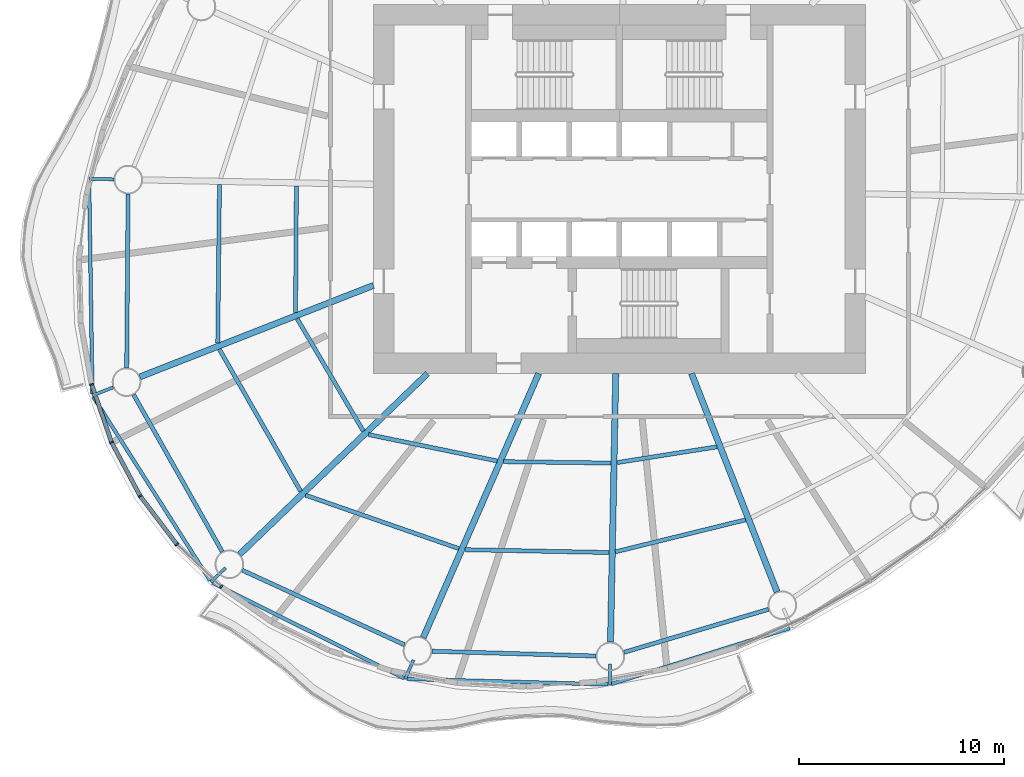
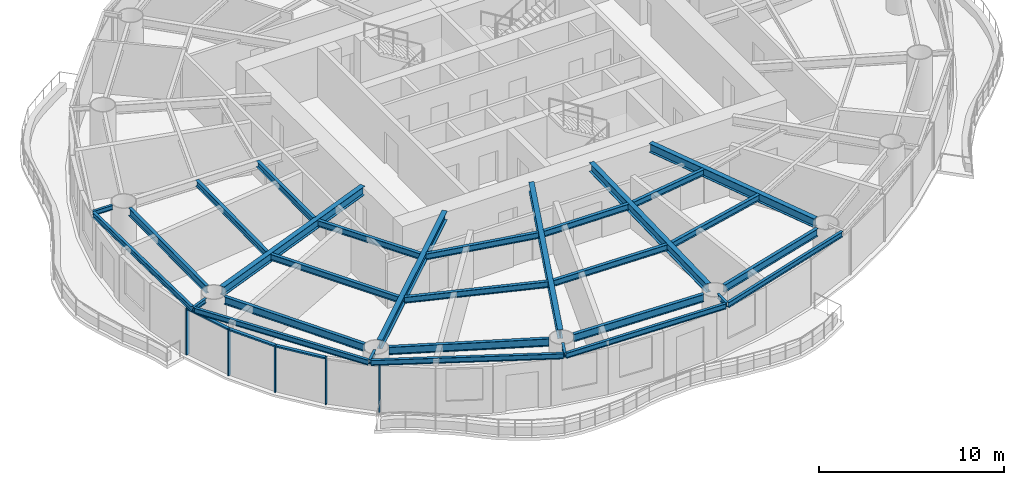
# One storey, part 2 of 14: 30 beams, 8 members, 4 elements without a shape of their own.
"""IFC4 building model written with IfcOpenShell, lengths in metres."""

from ifc_helpers import new_model, si_unit, direction, frame, origin, origin_2d, place, context, subcontext, project, spatial, rectangle, i_section, extrude, material, material_profile, profile_set, type_object, element, aggregate, save


model = new_model("IFC4")

# Units and contexts
model_context = context("Model", 3, precision=1e-05, world=origin(), true_north=direction((0.0, 1.0)))
body_context = subcontext(model_context, "Body", "Model", "MODEL_VIEW")
ifc_project = project(units=[si_unit("LENGTHUNIT", "METRE"), si_unit("AREAUNIT", "SQUARE_METRE"), si_unit("VOLUMEUNIT", "CUBIC_METRE"), si_unit("PLANEANGLEUNIT", "RADIAN"), si_unit("MASSUNIT", "GRAM", prefix="KILO")], contexts=[model_context])

# Site, building, storey
site_placement = place(None, origin())
site = spatial("IfcSite", under=ifc_project, at=site_placement, CompositionType="ELEMENT")
building_placement = place(site_placement, origin())
building = spatial("IfcBuilding", under=site, at=building_placement, Name="Vermilion Reach Broadcast Tower", CompositionType="ELEMENT")
storey_placement = place(building_placement, frame((0.0, 0.0, 165.0)))
storey = spatial("IfcBuildingStorey", under=building, at=storey_placement, Name="L39", CompositionType="ELEMENT", Elevation=165.0)

# Beams
ifc_material_1 = material(Name="Steel S355J2", Category="steel")
ifc_material_profile_1 = material_profile(ifc_material_1, i_section(OverallWidth=0.175048828125, OverallDepth=0.35009765625, WebThickness=0.007080078125, FlangeThickness=0.010986328125, at=origin_2d()), Name="S355J2 HN 350x175x7x11")
ifc_profile_set_1 = profile_set([ifc_material_profile_1], Name="Steel S355J2")
beam_type_1 = type_object("IfcBeamType", Name="EB3 HN 350x175x7x11", PredefinedType="BEAM", material=ifc_profile_set_1)
beam_1_placement = place(storey_placement, frame((-31.866943359375, 0.42626953125, 3.27490234375), z_axis=(0.015399378668, -0.999881422538, 0.0), x_axis=(0.999881422538, 0.015399378668, 0.0)))
element("IfcBeam", 1, at=beam_1_placement, inside=storey, type_object=beam_type_1, Name="Edge beam EB3-07", PredefinedType="BEAM", context=body_context, shape_type="SweptSolid", body=[
    extrude(i_section(OverallWidth=0.175048828125, OverallDepth=0.35009765625, WebThickness=0.007080078125, FlangeThickness=0.010986328125, at=origin_2d()), origin(), (0.0, 0.0, 1.0), 10.416015625),
])
beam_2_placement = place(storey_placement, frame((-31.664306640625, -10.133056640625, 3.27490234375), z_axis=(0.536371435763, -0.84398203944, 0.0), x_axis=(0.84398203944, 0.536371435763, 0.0)))
element("IfcBeam", 2, at=beam_2_placement, inside=storey, type_object=beam_type_1, Name="Edge beam EB3-08", PredefinedType="BEAM", context=body_context, shape_type="SweptSolid", body=[
    extrude(i_section(OverallWidth=0.175048828125, OverallDepth=0.35009765625, WebThickness=0.007080078125, FlangeThickness=0.010986328125, at=origin_2d()), origin(), (0.0, 0.0, 1.0), 10.62646484375),
])
beam_3_placement = place(storey_placement, frame((-25.852294921875, -19.20166015625, 3.27490234375), z_axis=(0.894871132783, -0.446324608006, 0.0), x_axis=(0.446324608006, 0.894871132783, 0.0)))
element("IfcBeam", 3, at=beam_3_placement, inside=storey, type_object=beam_type_1, Name="Edge beam EB3-09", PredefinedType="BEAM", context=body_context, shape_type="SweptSolid", body=[
    extrude(i_section(OverallWidth=0.175048828125, OverallDepth=0.35009765625, WebThickness=0.007080078125, FlangeThickness=0.010986328125, at=origin_2d()), origin(), (0.0, 0.0, 1.0), 10.4384765625),
])
beam_4_placement = place(storey_placement, frame((-16.36328125, -23.896240234375, 3.27490234375), z_axis=(0.999621496673, -0.027511150258, 0.0), x_axis=(0.027511150258, 0.999621496673, 0.0)))
element("IfcBeam", 4, at=beam_4_placement, inside=storey, type_object=beam_type_1, Name="Edge beam EB3-10", PredefinedType="BEAM", context=body_context, shape_type="SweptSolid", body=[
    extrude(i_section(OverallWidth=0.175048828125, OverallDepth=0.35009765625, WebThickness=0.007080078125, FlangeThickness=0.010986328125, at=origin_2d()), origin(), (0.0, 0.0, 1.0), 9.82373046875),
])
beam_5_placement = place(storey_placement, frame((-6.392822265625, -24.144775390625, 3.27490234375), z_axis=(0.95438083908, 0.298592052801, 0.0), x_axis=(-0.298592052801, 0.95438083908, 0.0)))
element("IfcBeam", 5, at=beam_5_placement, inside=storey, type_object=beam_type_1, Name="Edge beam EB3-11", PredefinedType="BEAM", context=body_context, shape_type="SweptSolid", body=[
    extrude(i_section(OverallWidth=0.175048828125, OverallDepth=0.35009765625, WebThickness=0.007080078125, FlangeThickness=0.010986328125, at=origin_2d()), origin(), (0.0, 0.0, 1.0), 9.119140625),
])
ifc_material_2 = material(Name="Steel S355J2", Category="steel")
ifc_material_profile_2 = material_profile(ifc_material_2, i_section(OverallWidth=0.300048828125, OverallDepth=0.587890625, WebThickness=0.011962890625, FlangeThickness=0.02001953125, at=origin_2d()), Name="S355J2 HM 588x300x12x20")
ifc_profile_set_2 = profile_set([ifc_material_profile_2], Name="Steel S355J2")
beam_type_2 = type_object("IfcBeamType", Name="G3 HM 588x300x12x20", PredefinedType="BEAM", material=ifc_profile_set_2)
beam_6_placement = place(storey_placement, frame((-18.0, -4.700439453125, 3.156005859375), z_axis=(-0.931124635714, -0.364701128004, 0.0), x_axis=(0.364701128004, -0.931124635714, 0.0)))
element("IfcBeam", 6, at=beam_6_placement, inside=storey, type_object=beam_type_2, Name="Girder G3-08", PredefinedType="BEAM", context=body_context, shape_type="SweptSolid", body=[
    extrude(i_section(OverallWidth=0.300048828125, OverallDepth=0.587890625, WebThickness=0.011962890625, FlangeThickness=0.02001953125, at=origin_2d()), origin(), (0.0, 0.0, 1.0), 12.231201171875),
])
beam_7_placement = place(storey_placement, frame((-15.355712890625, -9.0, 3.156005859375), z_axis=(-0.720670374476, -0.693277874559, 0.0), x_axis=(0.693277874559, -0.720670374476, 0.0)))
element("IfcBeam", 7, at=beam_7_placement, inside=storey, type_object=beam_type_2, Name="Girder G3-09", PredefinedType="BEAM", context=body_context, shape_type="SweptSolid", body=[
    extrude(i_section(OverallWidth=0.300048828125, OverallDepth=0.587890625, WebThickness=0.011962890625, FlangeThickness=0.02001953125, at=origin_2d()), origin(), (0.0, 0.0, 1.0), 12.718505859375),
])
beam_8_placement = place(storey_placement, frame((-9.933837890625, -9.0, 3.156005859375), z_axis=(-0.400519113205, -0.916288404356, 0.0), x_axis=(0.916288404356, -0.400519113205, 0.0)))
element("IfcBeam", 8, at=beam_8_placement, inside=storey, type_object=beam_type_2, Name="Girder G3-10", PredefinedType="BEAM", context=body_context, shape_type="SweptSolid", body=[
    extrude(i_section(OverallWidth=0.300048828125, OverallDepth=0.587890625, WebThickness=0.011962890625, FlangeThickness=0.02001953125, at=origin_2d()), origin(), (0.0, 0.0, 1.0), 14.0595703125),
])
beam_9_placement = place(storey_placement, frame((-6.17431640625, -9.0, 3.156005859375), z_axis=(-0.019378372481, -0.99981222171, 0.0), x_axis=(0.99981222171, -0.019378372481, 0.0)))
element("IfcBeam", 9, at=beam_9_placement, inside=storey, type_object=beam_type_2, Name="Girder G3-11", PredefinedType="BEAM", context=body_context, shape_type="SweptSolid", body=[
    extrude(i_section(OverallWidth=0.300048828125, OverallDepth=0.587890625, WebThickness=0.011962890625, FlangeThickness=0.02001953125, at=origin_2d()), origin(), (0.0, 0.0, 1.0), 13.1025390625),
])
beam_10_placement = place(storey_placement, frame((-2.474853515625, -9.0, 3.156005859375), z_axis=(0.364715649973, -0.931118947646, 0.0), x_axis=(0.931118947646, 0.364715649973, 0.0)))
element("IfcBeam", 10, at=beam_10_placement, inside=storey, type_object=beam_type_2, Name="Girder G3-12", PredefinedType="BEAM", context=body_context, shape_type="SweptSolid", body=[
    extrude(i_section(OverallWidth=0.300048828125, OverallDepth=0.587890625, WebThickness=0.011962890625, FlangeThickness=0.02001953125, at=origin_2d()), origin(), (0.0, 0.0, 1.0), 11.436767578125),
])
ifc_material_3 = material(Name="Steel S355J2", Category="steel")
ifc_material_profile_3 = material_profile(ifc_material_3, i_section(OverallWidth=0.14990234375, OverallDepth=0.300048828125, WebThickness=0.006591796875, FlangeThickness=0.009033203125, at=origin_2d()), Name="S355J2 HN 300x150x6.5x9")
ifc_profile_set_3 = profile_set([ifc_material_profile_3], Name="Steel S355J2")
beam_type_3 = type_object("IfcBeamType", Name="GS3 HN 300x150x6.5x9", PredefinedType="BEAM", material=ifc_profile_set_3)
beam_11_placement = place(storey_placement, frame((-30.659423828125, 0.477783203125, 3.300048828125), z_axis=(-0.999811990592, 0.019390293151, 0.0), x_axis=(-0.019390293151, -0.999811990592, 0.0)))
element("IfcBeam", 11, at=beam_11_placement, inside=storey, type_object=beam_type_3, Name="Cantilever stub GS3-07", PredefinedType="BEAM", context=body_context, shape_type="SweptSolid", body=[
    extrude(i_section(OverallWidth=0.14990234375, OverallDepth=0.300048828125, WebThickness=0.006591796875, FlangeThickness=0.009033203125, at=origin_2d()), origin(), (0.0, 0.0, 1.0), 1.208740234375),
])
beam_12_placement = place(storey_placement, frame((-30.6923828125, -9.671875, 3.300048828125), z_axis=(-0.931130155962, -0.364687033849, 0.0), x_axis=(0.364687033849, -0.931130155962, 0.0)))
element("IfcBeam", 12, at=beam_12_placement, inside=storey, type_object=beam_type_3, Name="Cantilever stub GS3-08", PredefinedType="BEAM", context=body_context, shape_type="SweptSolid", body=[
    extrude(i_section(OverallWidth=0.14990234375, OverallDepth=0.300048828125, WebThickness=0.006591796875, FlangeThickness=0.009033203125, at=origin_2d()), origin(), (0.0, 0.0, 1.0), 1.087890625),
])
for number, where, z_axis, x_axis, name in (
    (13, (-25.202880859375, -18.472900390625, 3.300048828125), (-0.720767376164, -0.69317702606, 0.0), (0.69317702606, -0.720767376164, 0.0), "Cantilever stub GS3-09"),
    (14, (-16.04345703125, -22.977783203125, 3.300048828125), (-0.400626718411, -0.916241361485, 0.0), (0.916241361485, -0.400626718411, 0.0), "Cantilever stub GS3-10"),
    (15, (-6.448974609375, -23.168701171875, 3.300048828125), (-0.019288230334, -0.999813964781, 0.0), (0.999813964781, -0.019288230334, 0.0), "Cantilever stub GS3-11"),
):
    element("IfcBeam", number, at=place(storey_placement, frame(where, z_axis=z_axis, x_axis=x_axis)), inside=storey, type_object=beam_type_3, Name=name, PredefinedType="BEAM", context=body_context, shape_type="SweptSolid", body=[
        extrude(i_section(OverallWidth=0.14990234375, OverallDepth=0.300048828125, WebThickness=0.006591796875, FlangeThickness=0.009033203125, at=origin_2d()), origin(), (0.0, 0.0, 1.0), 1.0),
    ])
ifc_material_4 = material(Name="Steel S355J2", Category="steel")
ifc_material_profile_4 = material_profile(ifc_material_4, i_section(OverallWidth=0.199951171875, OverallDepth=0.5, WebThickness=0.010009765625, FlangeThickness=0.01611328125, at=origin_2d()), Name="S355J2 HN 500x200x10x16")
ifc_profile_set_4 = profile_set([ifc_material_profile_4], Name="Steel S355J2")
beam_type_4 = type_object("IfcBeamType", Name="RB3 HN 500x200x10x16", PredefinedType="BEAM", material=ifc_profile_set_4)
beam_13_placement = place(storey_placement, frame((-29.965087890625, -0.23583984375, 3.199951171875), z_axis=(-0.008204232036, -0.999966344722, 0.0), x_axis=(0.999966344722, -0.008204232036, 0.0)))
element("IfcBeam", 16, at=beam_13_placement, inside=storey, type_object=beam_type_4, Name="Ring beam RB3-07", PredefinedType="BEAM", context=body_context, shape_type="SweptSolid", body=[
    extrude(i_section(OverallWidth=0.199951171875, OverallDepth=0.5, WebThickness=0.010009765625, FlangeThickness=0.01611328125, at=origin_2d()), origin(), (0.0, 0.0, 1.0), 8.48095703125),
])
beam_14_placement = place(storey_placement, frame((-29.696533203125, -10.026123046875, 3.199951171875), z_axis=(0.491466825026, -0.870896296869, 0.0), x_axis=(0.870896296869, 0.491466825026, 0.0)))
element("IfcBeam", 17, at=beam_14_placement, inside=storey, type_object=beam_type_4, Name="Ring beam RB3-08", PredefinedType="BEAM", context=body_context, shape_type="SweptSolid", body=[
    extrude(i_section(OverallWidth=0.199951171875, OverallDepth=0.5, WebThickness=0.010009765625, FlangeThickness=0.01611328125, at=origin_2d()), origin(), (0.0, 0.0, 1.0), 8.803466796875),
])
beam_15_placement = place(storey_placement, frame((-24.389892578125, -18.594970703125, 3.199951171875), z_axis=(0.908546241769, -0.417784306272, 0.0), x_axis=(0.417784306272, 0.908546241769, 0.0)))
element("IfcBeam", 18, at=beam_15_placement, inside=storey, type_object=beam_type_4, Name="Ring beam RB3-09", PredefinedType="BEAM", context=body_context, shape_type="SweptSolid", body=[
    extrude(i_section(OverallWidth=0.199951171875, OverallDepth=0.5, WebThickness=0.010009765625, FlangeThickness=0.01611328125, at=origin_2d()), origin(), (0.0, 0.0, 1.0), 8.704833984375),
])
beam_16_placement = place(storey_placement, frame((-15.1455078125, -22.544677734375, 3.199951171875), z_axis=(0.999569781146, -0.029330063427, 0.0), x_axis=(0.029330063427, 0.999569781146, 0.0)))
element("IfcBeam", 19, at=beam_16_placement, inside=storey, type_object=beam_type_4, Name="Ring beam RB3-10", PredefinedType="BEAM", context=body_context, shape_type="SweptSolid", body=[
    extrude(i_section(OverallWidth=0.199951171875, OverallDepth=0.5, WebThickness=0.010009765625, FlangeThickness=0.01611328125, at=origin_2d()), origin(), (0.0, 0.0, 1.0), 8.007568359375),
])
beam_17_placement = place(storey_placement, frame((-5.770751953125, -22.60009765625, 3.199951171875), z_axis=(0.958416970322, 0.285371531516, 0.0), x_axis=(-0.285371531516, 0.958416970322, 0.0)))
element("IfcBeam", 20, at=beam_17_placement, inside=storey, type_object=beam_type_4, Name="Ring beam RB3-11", PredefinedType="BEAM", context=body_context, shape_type="SweptSolid", body=[
    extrude(i_section(OverallWidth=0.199951171875, OverallDepth=0.5, WebThickness=0.010009765625, FlangeThickness=0.01611328125, at=origin_2d()), origin(), (0.0, 0.0, 1.0), 7.357421875),
])
ifc_material_5 = material(Name="Steel S355J2", Category="steel")
ifc_material_profile_5 = material_profile(ifc_material_5, i_section(OverallWidth=0.199951171875, OverallDepth=0.39990234375, WebThickness=0.008056640625, FlangeThickness=0.012939453125, at=origin_2d()), Name="S355J2 HN 400x200x8x13")
ifc_profile_set_5 = profile_set([ifc_material_profile_5], Name="Steel S355J2")
beam_type_5 = type_object("IfcBeamType", Name="SB3 HN 400x200x8x13", PredefinedType="BEAM", material=ifc_profile_set_5)
beam_18_placement = place(storey_placement, frame((-21.754150390625, 0.1552734375, 3.25), z_axis=(-0.006635449147, -0.999977985165, 0.0), x_axis=(0.999977985165, -0.006635449147, 0.0)))
element("IfcBeam", 21, at=beam_18_placement, inside=storey, type_object=beam_type_5, Name="Secondary beam SB3-07-1", PredefinedType="BEAM", context=body_context, shape_type="SweptSolid", body=[
    extrude(i_section(OverallWidth=0.199951171875, OverallDepth=0.39990234375, WebThickness=0.008056640625, FlangeThickness=0.012939453125, at=origin_2d()), origin(), (0.0, 0.0, 1.0), 6.181396484375),
])
beam_19_placement = place(storey_placement, frame((-25.508056640625, 0.22802734375, 3.25), z_axis=(-0.010691708672, -0.999942842049, 0.0), x_axis=(0.999942842049, -0.010691708672, 0.0)))
element("IfcBeam", 22, at=beam_19_placement, inside=storey, type_object=beam_type_5, Name="Secondary beam SB3-07-2", PredefinedType="BEAM", context=body_context, shape_type="SweptSolid", body=[
    extrude(i_section(OverallWidth=0.199951171875, OverallDepth=0.39990234375, WebThickness=0.008056640625, FlangeThickness=0.012939453125, at=origin_2d()), origin(), (0.0, 0.0, 1.0), 7.740966796875),
])
beam_20_placement = place(storey_placement, frame((-21.71923828125, -6.318115234375, 3.25), z_axis=(0.507249643612, -0.861799163991, 0.0), x_axis=(0.861799163991, 0.507249643612, 0.0)))
element("IfcBeam", 23, at=beam_20_placement, inside=storey, type_object=beam_type_5, Name="Secondary beam SB3-08-1", PredefinedType="BEAM", context=body_context, shape_type="SweptSolid", body=[
    extrude(i_section(OverallWidth=0.199951171875, OverallDepth=0.39990234375, WebThickness=0.008056640625, FlangeThickness=0.012939453125, at=origin_2d()), origin(), (0.0, 0.0, 1.0), 6.3681640625),
])
beam_21_placement = place(storey_placement, frame((-25.51708984375, -7.805908203125, 3.25), z_axis=(0.497026503115, -0.867735360119, 0.0), x_axis=(0.867735360119, 0.497026503115, 0.0)))
element("IfcBeam", 24, at=beam_21_placement, inside=storey, type_object=beam_type_5, Name="Secondary beam SB3-08-2", PredefinedType="BEAM", context=body_context, shape_type="SweptSolid", body=[
    extrude(i_section(OverallWidth=0.199951171875, OverallDepth=0.39990234375, WebThickness=0.008056640625, FlangeThickness=0.012939453125, at=origin_2d()), origin(), (0.0, 0.0, 1.0), 7.995849609375),
])
beam_22_placement = place(storey_placement, frame((-18.232666015625, -11.975830078125, 3.25), z_axis=(0.97956765607, -0.201114910391, 0.0), x_axis=(0.201114910391, 0.97956765607, 0.0)))
element("IfcBeam", 25, at=beam_22_placement, inside=storey, type_object=beam_type_5, Name="Secondary beam SB3-09-1", PredefinedType="BEAM", context=body_context, shape_type="SweptSolid", body=[
    extrude(i_section(OverallWidth=0.199951171875, OverallDepth=0.39990234375, WebThickness=0.008056640625, FlangeThickness=0.012939453125, at=origin_2d()), origin(), (0.0, 0.0, 1.0), 6.40234375),
])
beam_23_placement = place(storey_placement, frame((-21.307373046875, -14.93359375, 3.25), z_axis=(0.94431696779, -0.329037177754, 0.0), x_axis=(0.329037177754, 0.94431696779, 0.0)))
element("IfcBeam", 26, at=beam_23_placement, inside=storey, type_object=beam_type_5, Name="Secondary beam SB3-09-2", PredefinedType="BEAM", context=body_context, shape_type="SweptSolid", body=[
    extrude(i_section(OverallWidth=0.199951171875, OverallDepth=0.39990234375, WebThickness=0.008056640625, FlangeThickness=0.012939453125, at=origin_2d()), origin(), (0.0, 0.0, 1.0), 7.91845703125),
])
beam_24_placement = place(storey_placement, frame((-11.648193359375, -13.29638671875, 3.25), z_axis=(0.999914891843, -0.013046419838, 0.0), x_axis=(0.013046419838, 0.999914891843, 0.0)))
element("IfcBeam", 27, at=beam_24_placement, inside=storey, type_object=beam_type_5, Name="Secondary beam SB3-10-1", PredefinedType="BEAM", context=body_context, shape_type="SweptSolid", body=[
    extrude(i_section(OverallWidth=0.199951171875, OverallDepth=0.39990234375, WebThickness=0.008056640625, FlangeThickness=0.012939453125, at=origin_2d()), origin(), (0.0, 0.0, 1.0), 5.23974609375),
])
beam_25_placement = place(storey_placement, frame((-13.525634765625, -17.591552734375, 3.25), z_axis=(0.999804929321, -0.019751033045, 0.0), x_axis=(0.019751033045, 0.999804929321, 0.0)))
element("IfcBeam", 28, at=beam_25_placement, inside=storey, type_object=beam_type_5, Name="Secondary beam SB3-10-2", PredefinedType="BEAM", context=body_context, shape_type="SweptSolid", body=[
    extrude(i_section(OverallWidth=0.199951171875, OverallDepth=0.39990234375, WebThickness=0.008056640625, FlangeThickness=0.012939453125, at=origin_2d()), origin(), (0.0, 0.0, 1.0), 7.033447265625),
])
beam_26_placement = place(storey_placement, frame((-6.1083984375, -13.343017578125, 3.25), z_axis=(0.987756142208, 0.15600578044, 0.0), x_axis=(-0.15600578044, 0.987756142208, 0.0)))
element("IfcBeam", 29, at=beam_26_placement, inside=storey, type_object=beam_type_5, Name="Secondary beam SB3-11-1", PredefinedType="BEAM", context=body_context, shape_type="SweptSolid", body=[
    extrude(i_section(OverallWidth=0.199951171875, OverallDepth=0.39990234375, WebThickness=0.008056640625, FlangeThickness=0.012939453125, at=origin_2d()), origin(), (0.0, 0.0, 1.0), 4.9326171875),
])
beam_27_placement = place(storey_placement, frame((-6.19287109375, -17.6962890625, 3.25), z_axis=(0.971111691931, 0.238625400566, 0.0), x_axis=(-0.238625400566, 0.971111691931, 0.0)))
element("IfcBeam", 30, at=beam_27_placement, inside=storey, type_object=beam_type_5, Name="Secondary beam SB3-11-2", PredefinedType="BEAM", context=body_context, shape_type="SweptSolid", body=[
    extrude(i_section(OverallWidth=0.199951171875, OverallDepth=0.39990234375, WebThickness=0.008056640625, FlangeThickness=0.012939453125, at=origin_2d()), origin(), (0.0, 0.0, 1.0), 6.540771484375),
])

# Curtain wall, member
ifc_material_6 = material(Name="Low-e laminated clear glass in aluminium frame", Category="aluminium")
curtain_wall_type = type_object("IfcCurtainWallType", Name="Slot curtain wall", PredefinedType="NOTDEFINED", material=ifc_material_6)
placement = place(storey_placement, origin())
curtain_wall_1 = element("IfcCurtainWall", 31, at=placement, inside=storey, type_object=curtain_wall_type, Name="Slot curtain wall L39 22", PredefinedType="NOTDEFINED")
ifc_material_7 = material(Name="Anodised aluminium", Category="aluminium")
ifc_material_profile_6 = material_profile(ifc_material_7, rectangle(XDim=0.199951171875, YDim=0.080078125, at=origin_2d()), Name="Slot mullion 80 x 200")
ifc_profile_set_6 = profile_set([ifc_material_profile_6], Name="Anodised aluminium")
member_type_1 = type_object("IfcMemberType", Name="Slot mullion 80 x 200", PredefinedType="MULLION", material=ifc_profile_set_6)
member_1_placement = place(storey_placement, frame((-31.742431640625, -9.53173828125, 0.0), z_axis=(0.0, 0.0, 1.0), x_axis=(0.967856124681, 0.251504516694, 0.0)))
member_1 = element("IfcMember", 32, at=member_1_placement, type_object=member_type_1, Name="Slot mullion L39 22", PredefinedType="MULLION", context=body_context, shape_type="SweptSolid", body=[
    extrude(rectangle(XDim=0.199951171875, YDim=0.080078125, at=origin_2d()), origin(), (0.0, 0.0, 1.0), 3.10009765625),
])

curtain_wall_2 = element("IfcCurtainWall", 33, at=placement, inside=storey, type_object=curtain_wall_type, Name="Slot curtain wall L39 23", PredefinedType="NOTDEFINED")
member_2_placement = place(storey_placement, frame((-30.76953125, -12.357666015625, 0.0), z_axis=(0.0, 0.0, 1.0), x_axis=(0.916843405579, 0.399247003303, 0.0)))
member_2 = element("IfcMember", 34, at=member_2_placement, type_object=member_type_1, Name="Slot mullion L39 23", PredefinedType="MULLION", context=body_context, shape_type="SweptSolid", body=[
    extrude(rectangle(XDim=0.199951171875, YDim=0.080078125, at=origin_2d()), origin(), (0.0, 0.0, 1.0), 3.10009765625),
])

curtain_wall_3 = element("IfcCurtainWall", 35, at=placement, inside=storey, type_object=curtain_wall_type, Name="Slot curtain wall L39 24", PredefinedType="NOTDEFINED")
member_3_placement = place(storey_placement, frame((-29.37548828125, -14.97216796875, 0.0), z_axis=(0.0, 0.0, 1.0), x_axis=(0.842076060863, 0.539358793126, 0.0)))
member_3 = element("IfcMember", 36, at=member_3_placement, type_object=member_type_1, Name="Slot mullion L39 24", PredefinedType="MULLION", context=body_context, shape_type="SweptSolid", body=[
    extrude(rectangle(XDim=0.199951171875, YDim=0.080078125, at=origin_2d()), origin(), (0.0, 0.0, 1.0), 3.10009765625),
])

# Curtain wall, members
curtain_wall_4 = element("IfcCurtainWall", 37, at=placement, inside=storey, type_object=curtain_wall_type, Name="Slot curtain wall L39 25", PredefinedType="NOTDEFINED")
member_4_placement = place(storey_placement, frame((-27.58349609375, -17.33203125, 0.0), z_axis=(0.0, 0.0, 1.0), x_axis=(0.746070401605, 0.665867070705, 0.0)))
member_4 = element("IfcMember", 38, at=member_4_placement, type_object=member_type_1, Name="Slot mullion L39 25", PredefinedType="MULLION", context=body_context, shape_type="SweptSolid", body=[
    extrude(rectangle(XDim=0.199951171875, YDim=0.080078125, at=origin_2d()), origin(), (0.0, 0.0, 1.0), 3.10009765625),
])
member_5_placement = place(storey_placement, frame((-25.42333984375, -19.397216796875, 0.0), z_axis=(0.0, 0.0, 1.0), x_axis=(0.633199265842, 0.773988817579, 0.0)))
member_5 = element("IfcMember", 39, at=member_5_placement, type_object=member_type_1, Name="Slot mullion L39 26", PredefinedType="MULLION", context=body_context, shape_type="SweptSolid", body=[
    extrude(rectangle(XDim=0.199951171875, YDim=0.080078125, at=origin_2d()), origin(), (0.0, 0.0, 1.0), 3.10009765625),
])
aggregate(curtain_wall_4, [member_4, member_5])

# Member
ifc_material_8 = material(Name="Anodised aluminium", Category="aluminium")
ifc_material_profile_7 = material_profile(ifc_material_8, rectangle(XDim=0.199951171875, YDim=0.10009765625, at=origin_2d()), Name="Slot transom 200 x 100")
ifc_profile_set_7 = profile_set([ifc_material_profile_7], Name="Anodised aluminium")
member_type_2 = type_object("IfcMemberType", Name="Slot transom 200 x 100", PredefinedType="USERDEFINED", material=ifc_profile_set_7)
member_6_placement = place(storey_placement, frame((-31.729248046875, -9.569580078125, 3.050048828125), z_axis=(0.325429282045, -0.945566381799, 0.0), x_axis=(0.945566381799, 0.325429282045, 0.0)))
member_6 = element("IfcMember", 40, at=member_6_placement, type_object=member_type_2, Name="Slot transom L39 22.1", ObjectType="TRANSOM", PredefinedType="USERDEFINED", context=body_context, shape_type="SweptSolid", body=[
    extrude(rectangle(XDim=0.199951171875, YDim=0.10009765625, at=origin_2d()), origin(), (0.0, 0.0, 1.0), 2.908447265625),
])

aggregate(curtain_wall_1, [member_1, member_6])

member_7_placement = place(storey_placement, frame((-30.750732421875, -12.39306640625, 3.050048828125), z_axis=(0.470500326435, -0.882399820277, 0.0), x_axis=(0.882399820277, 0.470500326435, 0.0)))
member_7 = element("IfcMember", 41, at=member_7_placement, type_object=member_type_2, Name="Slot transom L39 23.1", ObjectType="TRANSOM", PredefinedType="USERDEFINED", context=body_context, shape_type="SweptSolid", body=[
    extrude(rectangle(XDim=0.199951171875, YDim=0.10009765625, at=origin_2d()), origin(), (0.0, 0.0, 1.0), 2.883056640625),
])

aggregate(curtain_wall_2, [member_2, member_7])

member_8_placement = place(storey_placement, frame((-29.351318359375, -15.004150390625, 3.050048828125), z_axis=(0.604812690604, -0.796367760073, 0.0), x_axis=(0.796367760073, 0.604812690604, 0.0)))
member_8 = element("IfcMember", 42, at=member_8_placement, type_object=member_type_2, Name="Slot transom L39 24.1", ObjectType="TRANSOM", PredefinedType="USERDEFINED", context=body_context, shape_type="SweptSolid", body=[
    extrude(rectangle(XDim=0.199951171875, YDim=0.10009765625, at=origin_2d()), origin(), (0.0, 0.0, 1.0), 2.883056640625),
])

aggregate(curtain_wall_3, [member_3, member_8])

save(model, "model.ifc")
